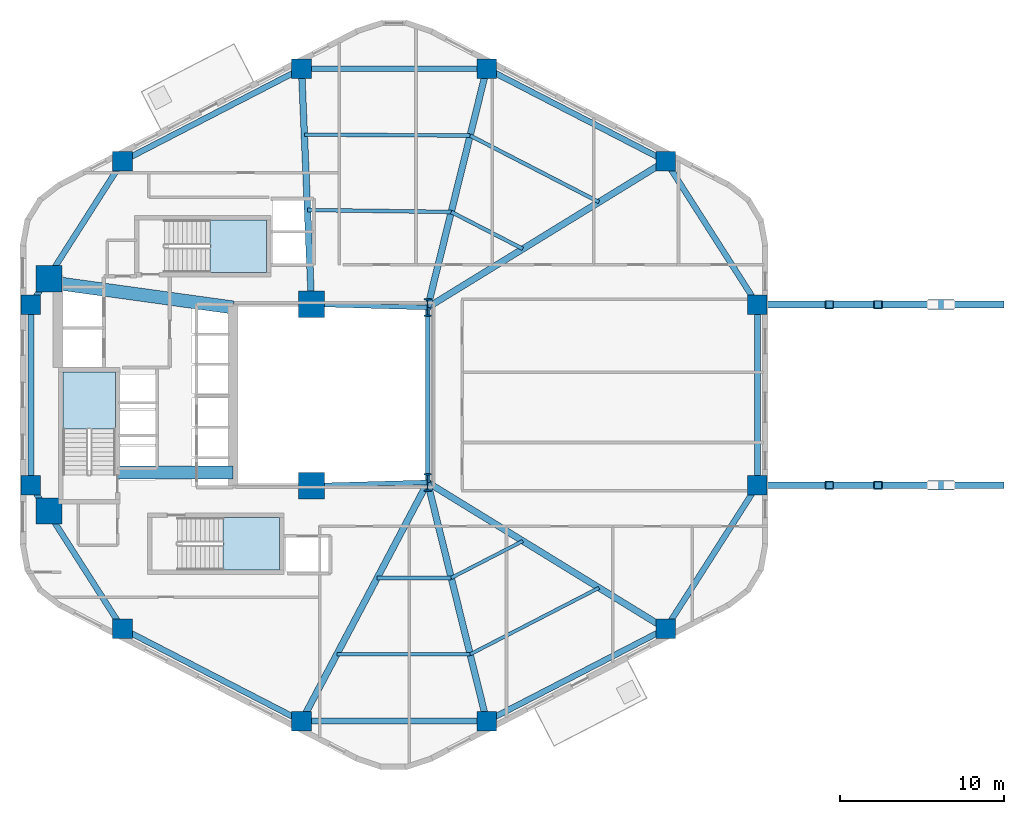
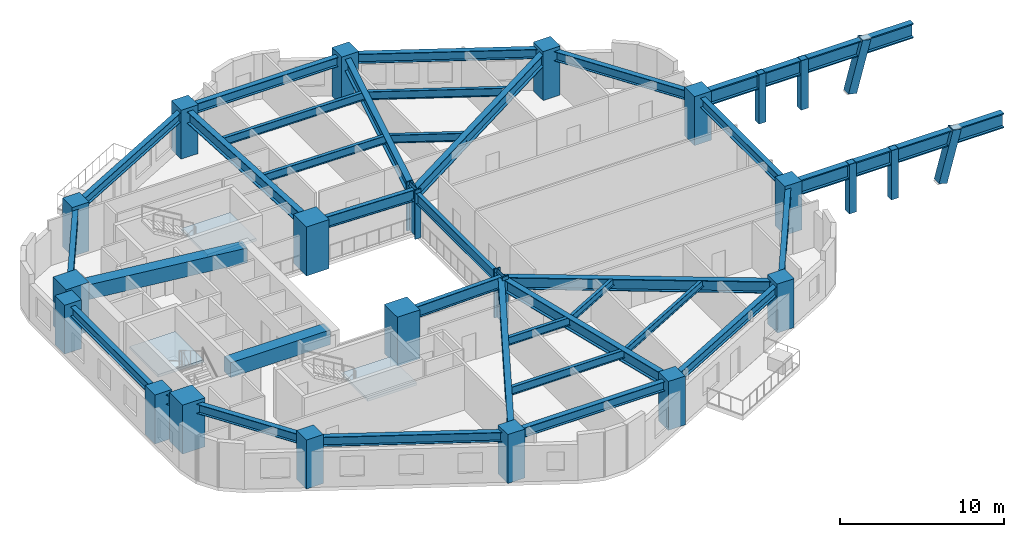
# One storey, part 1 of 8: 33 beams, 18 columns, 6 members, 3 slabs, 3 elements without a shape of their own.
"""IFC4 building model written with IfcOpenShell, lengths in metres."""

from ifc_helpers import new_model, si_unit, direction, frame, origin, origin_2d, place, context, subcontext, project, spatial, polyline, rectangle, hollow_rectangle, i_section, outline, extrude, material, layer, layer_set, material_profile, profile_set, type_object, element, aggregate, save


model = new_model("IFC4")

# Units and contexts
model_context = context("Model", 3, precision=1e-05, world=origin(), true_north=direction((0.0, 1.0)))
body_context = subcontext(model_context, "Body", "Model", "MODEL_VIEW")
ifc_project = project(units=[si_unit("LENGTHUNIT", "METRE"), si_unit("AREAUNIT", "SQUARE_METRE"), si_unit("VOLUMEUNIT", "CUBIC_METRE"), si_unit("PLANEANGLEUNIT", "RADIAN"), si_unit("MASSUNIT", "GRAM", prefix="KILO"), si_unit("THERMODYNAMICTEMPERATUREUNIT", "KELVIN"), si_unit("POWERUNIT", "WATT")], contexts=[model_context])

# Site, building, storey
site_placement = place(None, origin())
site = spatial("IfcSite", under=ifc_project, at=site_placement, CompositionType="ELEMENT")
building_placement = place(site_placement, origin())
building = spatial("IfcBuilding", under=site, at=building_placement, Name="Skarre Station Tower", CompositionType="ELEMENT")
storey_placement = place(building_placement, frame((0.0, 0.0, 45.25)))
storey = spatial("IfcBuildingStorey", under=building, at=storey_placement, Name="L11", CompositionType="ELEMENT", Elevation=45.25)

# Columns
ifc_material_1 = material(Name="Concrete C60/75", Category="concrete")
ifc_material_profile_1 = material_profile(ifc_material_1, rectangle(XDim=1.199951171875, YDim=1.199951171875, at=origin_2d()), Name="Concrete C60/75")
ifc_profile_set_1 = profile_set([ifc_material_profile_1], Name="Concrete C60/75")
column_type_1 = type_object("IfcColumnType", Name="RC Structural Column RC-COL-1200X1200", PredefinedType="COLUMN", material=ifc_profile_set_1)
for number, where, z_axis, x_axis, name in (
    (1, (54.007080078125, 38.298095703125, 0.0), (0.0, 0.0, 1.0), (1.0, 0.0, 0.0), "L11 Zone 1 Perimeter Column F0C1"),
    (2, (43.06005859375, 43.947021484375, 0.0), (0.0, 0.0, 1.0), (1.0, 0.0, 0.0), "L11 Zone 1 Perimeter Column F0C2"),
    (3, (31.739990234375, 43.947021484375, 0.0), (0.0, 0.0, 1.0), (1.0, 0.0, 0.0), "L11 Zone 1 Perimeter Column F1C1"),
    (4, (20.79296875, 38.298095703125, 0.0), (0.0, 0.0, 1.0), (1.0, 0.0, 0.0), "L11 Zone 1 Perimeter Column F1C2"),
    (5, (15.18701171875, 29.52099609375, 0.0), (0.0, 0.0, 1.0), (1.0, 0.0, 0.0), "L11 Zone 1 Perimeter Column F2C1"),
    (6, (15.18701171875, 18.47900390625, 0.0), (0.0, 0.0, 1.0), (1.0, 0.0, 0.0), "L11 Zone 1 Perimeter Column F2C2"),
    (7, (20.79296875, 9.701904296875, 0.0), (0.0, 0.0, 1.0), (1.0, 0.0, 0.0), "L11 Zone 1 Perimeter Column F3C1"),
    (8, (31.739990234375, 4.052978515625, 0.0), (0.0, 0.0, 1.0), (1.0, 0.0, 0.0), "L11 Zone 1 Perimeter Column F3C2"),
    (9, (43.06005859375, 4.052978515625, 0.0), (0.0, 0.0, 1.0), (1.0, 0.0, 0.0), "L11 Zone 1 Perimeter Column F4C1"),
    (10, (54.007080078125, 9.701904296875, 0.0), (0.0, 0.0, 1.0), (1.0, 0.0, 0.0), "L11 Zone 1 Perimeter Column F4C2"),
    (11, (59.613037109375, 18.47900390625, 0.0), (0.0, 0.0, 1.0), (1.0, 0.0, 0.0), "L11 Zone 1 Perimeter Column F5C1"),
    (12, (59.613037109375, 29.52099609375, 0.0), (0.0, 0.0, 1.0), (1.0, 0.0, 0.0), "L11 Zone 1 Perimeter Column F5C2"),
):
    element("IfcColumn", number, at=place(storey_placement, frame(where, z_axis=z_axis, x_axis=x_axis)), inside=storey, type_object=column_type_1, Name=name, PredefinedType="COLUMN", context=body_context, shape_type="SweptSolid", body=[
        extrude(rectangle(XDim=1.199951171875, YDim=1.199951171875, at=origin_2d()), origin(), (0.0, 0.0, 1.0), 3.64990234375),
    ])
ifc_material_2 = material(Name="Concrete C70/85", Category="concrete")
ifc_material_profile_2 = material_profile(ifc_material_2, rectangle(XDim=1.60009765625, YDim=1.60009765625, at=origin_2d()), Name="Concrete C70/85")
ifc_profile_set_2 = profile_set([ifc_material_profile_2], Name="Concrete C70/85")
column_type_2 = type_object("IfcColumnType", Name="RC Structural Column RC-COL-1600X1600", PredefinedType="COLUMN", material=ifc_profile_set_2)
for number, where, z_axis, x_axis, name in (
    (13, (16.300048828125, 16.89990234375, 0.0), (0.0, 0.0, 1.0), (1.0, 0.0, 0.0), "L11 Core Column CC-SW"),
    (14, (16.300048828125, 31.10009765625, 0.0), (0.0, 0.0, 1.0), (1.0, 0.0, 0.0), "L11 Core Column CC-NW"),
    (15, (32.35009765625, 18.449951171875, 0.0), (0.0, 0.0, 1.0), (1.0, 0.0, 0.0), "L11 Core Column CC-SE"),
    (16, (32.35009765625, 29.550048828125, 0.0), (0.0, 0.0, 1.0), (1.0, 0.0, 0.0), "L11 Core Column CC-NE"),
):
    element("IfcColumn", number, at=place(storey_placement, frame(where, z_axis=z_axis, x_axis=x_axis)), inside=storey, type_object=column_type_2, Name=name, PredefinedType="COLUMN", context=body_context, shape_type="SweptSolid", body=[
        extrude(rectangle(XDim=1.60009765625, YDim=1.60009765625, at=origin_2d()), origin(), (0.0, 0.0, 1.0), 3.64990234375),
    ])
ifc_material_3 = material(Name="Steel ASTM A913 Grade 65", Category="steel")
ifc_material_profile_3 = material_profile(ifc_material_3, i_section(OverallWidth=0.424072265625, OverallDepth=1.092041015625, WebThickness=0.044921875, FlangeThickness=0.08203125, at=origin_2d()), Name="Steel ASTM A913 Grade 65")
ifc_profile_set_3 = profile_set([ifc_material_profile_3], Name="Steel ASTM A913 Grade 65")
column_type_3 = type_object("IfcColumnType", Name="Steel Column W40X593", PredefinedType="COLUMN", material=ifc_profile_set_3)
for number, where, z_axis, x_axis, name in (
    (17, (39.449951171875, 18.64990234375, 0.0), (0.0, 0.0, 1.0), (1.0, 0.0, 0.0), "L11 Atrium Spine Column AC-SE"),
    (18, (39.449951171875, 29.35009765625, 0.0), (0.0, 0.0, 1.0), (1.0, 0.0, 0.0), "L11 Atrium Spine Column AC-NE"),
):
    element("IfcColumn", number, at=place(storey_placement, frame(where, z_axis=z_axis, x_axis=x_axis)), inside=storey, type_object=column_type_3, Name=name, PredefinedType="COLUMN", context=body_context, shape_type="SweptSolid", body=[
        extrude(i_section(OverallWidth=0.424072265625, OverallDepth=1.092041015625, WebThickness=0.044921875, FlangeThickness=0.08203125, at=origin_2d()), origin(), (0.0, 0.0, 1.0), 3.64990234375),
    ])

# Beams
ifc_material_profile_4 = material_profile(ifc_material_2, rectangle(XDim=0.800048828125, YDim=1.10009765625, at=origin_2d()), Name="Concrete C70/85")
ifc_profile_set_4 = profile_set([ifc_material_profile_4], Name="Concrete C70/85")
beam_type_1 = type_object("IfcBeamType", Name="RC Core Coupling Lintel 800x1100", PredefinedType="LINTEL", material=ifc_profile_set_4)
beam_1_placement = place(storey_placement, frame((20.489990234375, 19.260009765625, 2.840087890625), z_axis=(1.0, 0.0, 0.0), x_axis=(0.0, 1.0, 0.0)))
element("IfcBeam", 19, at=beam_1_placement, inside=storey, type_object=beam_type_1, Name="L11 South Core Coupling Lintel", PredefinedType="LINTEL", context=body_context, shape_type="SweptSolid", body=[
    extrude(rectangle(XDim=0.800048828125, YDim=1.10009765625, at=origin_2d()), origin(), (0.0, 0.0, 1.0), 7.06005859375),
])
beam_2_placement = place(storey_placement, frame((17.050048828125, 30.800048828125, 2.840087890625), z_axis=(0.990599723633, -0.136792498109, 0.0), x_axis=(0.136792498109, 0.990599723633, 0.0)))
element("IfcBeam", 20, at=beam_2_placement, inside=storey, type_object=beam_type_1, Name="L11 North Core Coupling Lintel", PredefinedType="LINTEL", context=body_context, shape_type="SweptSolid", body=[
    extrude(rectangle(XDim=0.800048828125, YDim=1.10009765625, at=origin_2d()), origin(), (0.0, 0.0, 1.0), 10.599609375),
])
ifc_material_4 = material(Name="Steel ASTM A992 Grade 50", Category="steel")
ifc_material_profile_5 = material_profile(ifc_material_4, i_section(OverallWidth=0.26806640625, OverallDepth=0.77001953125, WebThickness=0.01611328125, FlangeThickness=0.02490234375, at=origin_2d()), Name="Steel ASTM A992 Grade 50")
ifc_profile_set_5 = profile_set([ifc_material_profile_5], Name="Steel ASTM A992 Grade 50")
beam_type_2 = type_object("IfcBeamType", Name="Steel Beam W30X132", PredefinedType="BEAM", material=ifc_profile_set_5)
beam_3_placement = place(storey_placement, frame((39.449951171875, 18.64990234375, 3.0048828125), z_axis=(0.0, 1.0, 0.0), x_axis=(-1.0, 0.0, 0.0)))
element("IfcBeam", 21, at=beam_3_placement, inside=storey, type_object=beam_type_2, Name="L11 Atrium East Edge Girder", PredefinedType="BEAM", context=body_context, shape_type="SweptSolid", body=[
    extrude(i_section(OverallWidth=0.26806640625, OverallDepth=0.77001953125, WebThickness=0.01611328125, FlangeThickness=0.02490234375, at=origin_2d()), origin(), (0.0, 0.0, 1.0), 10.7001953125),
])
ifc_material_profile_6 = material_profile(ifc_material_4, i_section(OverallWidth=0.2919921875, OverallDepth=0.85888671875, WebThickness=0.01708984375, FlangeThickness=0.031005859375, at=origin_2d()), Name="Steel ASTM A992 Grade 50")
ifc_profile_set_6 = profile_set([ifc_material_profile_6], Name="Steel ASTM A992 Grade 50")
beam_type_3 = type_object("IfcBeamType", Name="Steel Beam W33X169", PredefinedType="BEAM", material=ifc_profile_set_6)
for number, where, z_axis, x_axis, name in (
    (22, (32.35009765625, 18.449951171875, 2.9609375), (0.999603666405, 0.028151556095, 0.0), (-0.028151556095, 0.999603666405, 0.0), "L11 Atrium South Edge Girder"),
    (23, (32.35009765625, 29.550048828125, 2.9609375), (0.999603666405, -0.028151556095, 0.0), (0.028151556095, 0.999603666405, 0.0), "L11 Atrium North Edge Girder"),
):
    element("IfcBeam", number, at=place(storey_placement, frame(where, z_axis=z_axis, x_axis=x_axis)), inside=storey, type_object=beam_type_3, Name=name, PredefinedType="BEAM", context=body_context, shape_type="SweptSolid", body=[
        extrude(i_section(OverallWidth=0.2919921875, OverallDepth=0.85888671875, WebThickness=0.01708984375, FlangeThickness=0.031005859375, at=origin_2d()), origin(), (0.0, 0.0, 1.0), 7.102783203125),
    ])
ifc_material_profile_7 = material_profile(ifc_material_4, i_section(OverallWidth=0.40087890625, OverallDepth=0.876953125, WebThickness=0.02197265625, FlangeThickness=0.0400390625, at=origin_2d()), Name="Steel ASTM A992 Grade 50")
ifc_profile_set_7 = profile_set([ifc_material_profile_7], Name="Steel ASTM A992 Grade 50")
beam_type_4 = type_object("IfcBeamType", Name="Steel Beam W33X263", PredefinedType="BEAM", material=ifc_profile_set_7)
beam_4_placement = place(storey_placement, frame((39.449951171875, 29.35009765625, 2.951904296875), z_axis=(0.851925565957, 0.523662897358, 0.0), x_axis=(-0.523662897358, 0.851925565957, 0.0)))
element("IfcBeam", 24, at=beam_4_placement, inside=storey, type_object=beam_type_4, Name="L11 Radial Floor Girder F0C1", PredefinedType="BEAM", context=body_context, shape_type="SweptSolid", body=[
    extrude(i_section(OverallWidth=0.40087890625, OverallDepth=0.876953125, WebThickness=0.02197265625, FlangeThickness=0.0400390625, at=origin_2d()), origin(), (0.0, 0.0, 1.0), 17.08740234375),
])
beam_5_placement = place(storey_placement, frame((39.449951171875, 29.35009765625, 2.951904296875), z_axis=(0.240086037639, 0.9707516132, 0.0), x_axis=(-0.9707516132, 0.240086037639, 0.0)))
element("IfcBeam", 25, at=beam_5_placement, inside=storey, type_object=beam_type_4, Name="L11 Radial Floor Girder F0C2", PredefinedType="BEAM", context=body_context, shape_type="SweptSolid", body=[
    extrude(i_section(OverallWidth=0.40087890625, OverallDepth=0.876953125, WebThickness=0.02197265625, FlangeThickness=0.0400390625, at=origin_2d()), origin(), (0.0, 0.0, 1.0), 15.03662109375),
])
beam_6_placement = place(storey_placement, frame((32.35009765625, 29.550048828125, 2.951904296875), z_axis=(-0.042339479433, 0.999103282189, 0.0), x_axis=(-0.999103282189, -0.042339479433, 0.0)))
element("IfcBeam", 26, at=beam_6_placement, inside=storey, type_object=beam_type_4, Name="L11 Radial Floor Girder F1C1", PredefinedType="BEAM", context=body_context, shape_type="SweptSolid", body=[
    extrude(i_section(OverallWidth=0.40087890625, OverallDepth=0.876953125, WebThickness=0.02197265625, FlangeThickness=0.0400390625, at=origin_2d()), origin(), (0.0, 0.0, 1.0), 14.409912109375),
])
beam_7_placement = place(storey_placement, frame((39.449951171875, 18.64990234375, 2.951904296875), z_axis=(-0.467044240884, -0.884233949279, 0.0), x_axis=(0.884233949279, -0.467044240884, 0.0)))
element("IfcBeam", 27, at=beam_7_placement, inside=storey, type_object=beam_type_4, Name="L11 Radial Floor Girder F3C2", PredefinedType="BEAM", context=body_context, shape_type="SweptSolid", body=[
    extrude(i_section(OverallWidth=0.40087890625, OverallDepth=0.876953125, WebThickness=0.02197265625, FlangeThickness=0.0400390625, at=origin_2d()), origin(), (0.0, 0.0, 1.0), 16.508056640625),
])
beam_8_placement = place(storey_placement, frame((39.449951171875, 18.64990234375, 2.951904296875), z_axis=(0.240086037639, -0.9707516132, 0.0), x_axis=(0.9707516132, 0.240086037639, 0.0)))
element("IfcBeam", 28, at=beam_8_placement, inside=storey, type_object=beam_type_4, Name="L11 Radial Floor Girder F4C1", PredefinedType="BEAM", context=body_context, shape_type="SweptSolid", body=[
    extrude(i_section(OverallWidth=0.40087890625, OverallDepth=0.876953125, WebThickness=0.02197265625, FlangeThickness=0.0400390625, at=origin_2d()), origin(), (0.0, 0.0, 1.0), 15.03662109375),
])
beam_9_placement = place(storey_placement, frame((39.449951171875, 18.64990234375, 2.951904296875), z_axis=(0.851925565957, -0.523662897358, 0.0), x_axis=(0.523662897358, 0.851925565957, 0.0)))
element("IfcBeam", 29, at=beam_9_placement, inside=storey, type_object=beam_type_4, Name="L11 Radial Floor Girder F4C2", PredefinedType="BEAM", context=body_context, shape_type="SweptSolid", body=[
    extrude(i_section(OverallWidth=0.40087890625, OverallDepth=0.876953125, WebThickness=0.02197265625, FlangeThickness=0.0400390625, at=origin_2d()), origin(), (0.0, 0.0, 1.0), 17.08740234375),
])
ifc_material_profile_8 = material_profile(ifc_material_4, i_section(OverallWidth=0.208984375, OverallDepth=0.532958984375, WebThickness=0.010009765625, FlangeThickness=0.01611328125, at=origin_2d()), Name="Steel ASTM A992 Grade 50")
ifc_profile_set_8 = profile_set([ifc_material_profile_8], Name="Steel ASTM A992 Grade 50")
beam_type_5 = type_object("IfcBeamType", Name="Steel Joist W21X62", PredefinedType="JOIST", material=ifc_profile_set_8)
beam_10_placement = place(storey_placement, frame((40.89404296875, 12.81103515625, 3.123046875), z_axis=(0.888626519249, 0.458631561591, 0.0), x_axis=(-0.458631561591, 0.888626519249, 0.0)))
element("IfcBeam", 30, at=beam_10_placement, inside=storey, type_object=beam_type_5, Name="L11 Auxiliary Composite Joist 7", PredefinedType="JOIST", context=body_context, shape_type="SweptSolid", body=[
    extrude(i_section(OverallWidth=0.208984375, OverallDepth=0.532958984375, WebThickness=0.010009765625, FlangeThickness=0.01611328125, at=origin_2d()), origin(), (0.0, 0.0, 1.0), 4.927734375),
])
beam_11_placement = place(storey_placement, frame((42.049072265625, 8.139892578125, 3.123046875), z_axis=(0.88866227096, 0.458562283853, 0.0), x_axis=(-0.458562283853, 0.88866227096, 0.0)))
element("IfcBeam", 31, at=beam_11_placement, inside=storey, type_object=beam_type_5, Name="L11 Auxiliary Composite Joist 8", PredefinedType="JOIST", context=body_context, shape_type="SweptSolid", body=[
    extrude(i_section(OverallWidth=0.208984375, OverallDepth=0.532958984375, WebThickness=0.010009765625, FlangeThickness=0.01611328125, at=origin_2d()), origin(), (0.0, 0.0, 1.0), 8.869384765625),
])
ifc_material_profile_9 = material_profile(ifc_material_4, i_section(OverallWidth=0.22802734375, OverallDepth=0.60791015625, WebThickness=0.010986328125, FlangeThickness=0.01708984375, at=origin_2d()), Name="Steel ASTM A992 Grade 50")
ifc_profile_set_9 = profile_set([ifc_material_profile_9], Name="Steel ASTM A992 Grade 50")
beam_type_6 = type_object("IfcBeamType", Name="Steel Joist W24X76", PredefinedType="JOIST", material=ifc_profile_set_9)
beam_12_placement = place(storey_placement, frame((45.27294921875, 32.928955078125, 3.0859375), z_axis=(-0.888626519249, 0.458631561591, 0.0), x_axis=(-0.458631561591, -0.888626519249, 0.0)))
element("IfcBeam", 32, at=beam_12_placement, inside=storey, type_object=beam_type_6, Name="L11 Secondary Floor Joist 1", PredefinedType="JOIST", context=body_context, shape_type="SweptSolid", body=[
    extrude(i_section(OverallWidth=0.22802734375, OverallDepth=0.60791015625, WebThickness=0.010986328125, FlangeThickness=0.01708984375, at=origin_2d()), origin(), (0.0, 0.0, 1.0), 4.927734375),
])
beam_13_placement = place(storey_placement, frame((49.930908203125, 35.79296875, 3.0859375), z_axis=(-0.88866227096, 0.458562283853, 0.0), x_axis=(-0.458562283853, -0.88866227096, 0.0)))
element("IfcBeam", 33, at=beam_13_placement, inside=storey, type_object=beam_type_6, Name="L11 Secondary Floor Joist 2", PredefinedType="JOIST", context=body_context, shape_type="SweptSolid", body=[
    extrude(i_section(OverallWidth=0.22802734375, OverallDepth=0.60791015625, WebThickness=0.010986328125, FlangeThickness=0.01708984375, at=origin_2d()), origin(), (0.0, 0.0, 1.0), 8.869384765625),
])
beam_14_placement = place(storey_placement, frame((40.89404296875, 35.18896484375, 3.0859375), z_axis=(-0.999906603441, 0.013666908792, 0.0), x_axis=(-0.013666908792, -0.999906603441, 0.0)))
element("IfcBeam", 34, at=beam_14_placement, inside=storey, type_object=beam_type_6, Name="L11 Secondary Floor Joist 3", PredefinedType="JOIST", context=body_context, shape_type="SweptSolid", body=[
    extrude(i_section(OverallWidth=0.22802734375, OverallDepth=0.60791015625, WebThickness=0.010986328125, FlangeThickness=0.01708984375, at=origin_2d()), origin(), (0.0, 0.0, 1.0), 8.788818359375),
])
beam_15_placement = place(storey_placement, frame((42.049072265625, 39.860107421875, 3.0859375), z_axis=(-0.999984794845, 0.005514533498, 0.0), x_axis=(-0.005514533498, -0.999984794845, 0.0)))
element("IfcBeam", 35, at=beam_15_placement, inside=storey, type_object=beam_type_6, Name="L11 Secondary Floor Joist 4", PredefinedType="JOIST", context=body_context, shape_type="SweptSolid", body=[
    extrude(i_section(OverallWidth=0.22802734375, OverallDepth=0.60791015625, WebThickness=0.010986328125, FlangeThickness=0.01708984375, at=origin_2d()), origin(), (0.0, 0.0, 1.0), 10.138427734375),
])
beam_16_placement = place(storey_placement, frame((36.365966796875, 12.81103515625, 3.0859375), z_axis=(1.0, 0.0, 0.0), x_axis=(0.0, 1.0, 0.0)))
element("IfcBeam", 36, at=beam_16_placement, inside=storey, type_object=beam_type_6, Name="L11 Secondary Floor Joist 5", PredefinedType="JOIST", context=body_context, shape_type="SweptSolid", body=[
    extrude(i_section(OverallWidth=0.22802734375, OverallDepth=0.60791015625, WebThickness=0.010986328125, FlangeThickness=0.01708984375, at=origin_2d()), origin(), (0.0, 0.0, 1.0), 4.528076171875),
])
beam_17_placement = place(storey_placement, frame((33.89892578125, 8.139892578125, 3.0859375), z_axis=(1.0, 0.0, 0.0), x_axis=(0.0, 1.0, 0.0)))
element("IfcBeam", 37, at=beam_17_placement, inside=storey, type_object=beam_type_6, Name="L11 Secondary Floor Joist 6", PredefinedType="JOIST", context=body_context, shape_type="SweptSolid", body=[
    extrude(i_section(OverallWidth=0.22802734375, OverallDepth=0.60791015625, WebThickness=0.010986328125, FlangeThickness=0.01708984375, at=origin_2d()), origin(), (0.0, 0.0, 1.0), 8.150146484375),
])
ifc_material_profile_10 = material_profile(ifc_material_4, i_section(OverallWidth=0.35791015625, OverallDepth=0.7060546875, WebThickness=0.01806640625, FlangeThickness=0.030029296875, at=origin_2d()), Name="Steel ASTM A992 Grade 50")
ifc_profile_set_10 = profile_set([ifc_material_profile_10], Name="Steel ASTM A992 Grade 50")
beam_type_7 = type_object("IfcBeamType", Name="Steel Spandrel W27X178", PredefinedType="SPANDREL", material=ifc_profile_set_10)
beam_18_placement = place(storey_placement, frame((54.007080078125, 38.298095703125, 3.037109375), z_axis=(-0.888658695823, 0.458569212158, 0.0), x_axis=(-0.458569212158, -0.888658695823, 0.0)))
element("IfcBeam", 38, at=beam_18_placement, inside=storey, type_object=beam_type_7, Name="L11 Facet Spandrel Beam 1", PredefinedType="SPANDREL", context=body_context, shape_type="SweptSolid", body=[
    extrude(i_section(OverallWidth=0.35791015625, OverallDepth=0.7060546875, WebThickness=0.01806640625, FlangeThickness=0.030029296875, at=origin_2d()), origin(), (0.0, 0.0, 1.0), 12.318603515625),
])
beam_19_placement = place(storey_placement, frame((43.06005859375, 43.947021484375, 3.037109375), z_axis=(-1.0, 0.0, 0.0), x_axis=(0.0, -1.0, 0.0)))
element("IfcBeam", 39, at=beam_19_placement, inside=storey, type_object=beam_type_7, Name="L11 Facet Spandrel Beam 2", PredefinedType="SPANDREL", context=body_context, shape_type="SweptSolid", body=[
    extrude(i_section(OverallWidth=0.35791015625, OverallDepth=0.7060546875, WebThickness=0.01806640625, FlangeThickness=0.030029296875, at=origin_2d()), origin(), (0.0, 0.0, 1.0), 11.320068359375),
])
beam_20_placement = place(storey_placement, frame((31.739990234375, 43.947021484375, 3.037109375), z_axis=(-0.888658695823, -0.458569212158, 0.0), x_axis=(0.458569212158, -0.888658695823, 0.0)))
element("IfcBeam", 40, at=beam_20_placement, inside=storey, type_object=beam_type_7, Name="L11 Facet Spandrel Beam 3", PredefinedType="SPANDREL", context=body_context, shape_type="SweptSolid", body=[
    extrude(i_section(OverallWidth=0.35791015625, OverallDepth=0.7060546875, WebThickness=0.01806640625, FlangeThickness=0.030029296875, at=origin_2d()), origin(), (0.0, 0.0, 1.0), 12.318603515625),
])
beam_21_placement = place(storey_placement, frame((20.79296875, 38.298095703125, 3.037109375), z_axis=(-0.538277829225, -0.842767452246, 0.0), x_axis=(0.842767452246, -0.538277829225, 0.0)))
element("IfcBeam", 41, at=beam_21_placement, inside=storey, type_object=beam_type_7, Name="L11 Facet Spandrel Beam 4", PredefinedType="SPANDREL", context=body_context, shape_type="SweptSolid", body=[
    extrude(i_section(OverallWidth=0.35791015625, OverallDepth=0.7060546875, WebThickness=0.01806640625, FlangeThickness=0.030029296875, at=origin_2d()), origin(), (0.0, 0.0, 1.0), 10.41455078125),
])
beam_22_placement = place(storey_placement, frame((15.18701171875, 29.52099609375, 3.037109375), z_axis=(0.0, -1.0, 0.0), x_axis=(1.0, 0.0, 0.0)))
element("IfcBeam", 42, at=beam_22_placement, inside=storey, type_object=beam_type_7, Name="L11 Facet Spandrel Beam 5", PredefinedType="SPANDREL", context=body_context, shape_type="SweptSolid", body=[
    extrude(i_section(OverallWidth=0.35791015625, OverallDepth=0.7060546875, WebThickness=0.01806640625, FlangeThickness=0.030029296875, at=origin_2d()), origin(), (0.0, 0.0, 1.0), 11.0419921875),
])
beam_23_placement = place(storey_placement, frame((15.18701171875, 18.47900390625, 3.037109375), z_axis=(0.538277829225, -0.842767452246, 0.0), x_axis=(0.842767452246, 0.538277829225, 0.0)))
element("IfcBeam", 43, at=beam_23_placement, inside=storey, type_object=beam_type_7, Name="L11 Facet Spandrel Beam 6", PredefinedType="SPANDREL", context=body_context, shape_type="SweptSolid", body=[
    extrude(i_section(OverallWidth=0.35791015625, OverallDepth=0.7060546875, WebThickness=0.01806640625, FlangeThickness=0.030029296875, at=origin_2d()), origin(), (0.0, 0.0, 1.0), 10.41455078125),
])
beam_24_placement = place(storey_placement, frame((20.79296875, 9.701904296875, 3.037109375), z_axis=(0.888658695823, -0.458569212158, 0.0), x_axis=(0.458569212158, 0.888658695823, 0.0)))
element("IfcBeam", 44, at=beam_24_placement, inside=storey, type_object=beam_type_7, Name="L11 Facet Spandrel Beam 7", PredefinedType="SPANDREL", context=body_context, shape_type="SweptSolid", body=[
    extrude(i_section(OverallWidth=0.35791015625, OverallDepth=0.7060546875, WebThickness=0.01806640625, FlangeThickness=0.030029296875, at=origin_2d()), origin(), (0.0, 0.0, 1.0), 12.318603515625),
])
beam_25_placement = place(storey_placement, frame((31.739990234375, 4.052978515625, 3.037109375), z_axis=(1.0, 0.0, 0.0), x_axis=(0.0, 1.0, 0.0)))
element("IfcBeam", 45, at=beam_25_placement, inside=storey, type_object=beam_type_7, Name="L11 Facet Spandrel Beam 8", PredefinedType="SPANDREL", context=body_context, shape_type="SweptSolid", body=[
    extrude(i_section(OverallWidth=0.35791015625, OverallDepth=0.7060546875, WebThickness=0.01806640625, FlangeThickness=0.030029296875, at=origin_2d()), origin(), (0.0, 0.0, 1.0), 11.320068359375),
])
beam_26_placement = place(storey_placement, frame((43.06005859375, 4.052978515625, 3.037109375), z_axis=(0.888658695823, 0.458569212158, 0.0), x_axis=(-0.458569212158, 0.888658695823, 0.0)))
element("IfcBeam", 46, at=beam_26_placement, inside=storey, type_object=beam_type_7, Name="L11 Facet Spandrel Beam 9", PredefinedType="SPANDREL", context=body_context, shape_type="SweptSolid", body=[
    extrude(i_section(OverallWidth=0.35791015625, OverallDepth=0.7060546875, WebThickness=0.01806640625, FlangeThickness=0.030029296875, at=origin_2d()), origin(), (0.0, 0.0, 1.0), 12.318603515625),
])
beam_27_placement = place(storey_placement, frame((54.007080078125, 9.701904296875, 3.037109375), z_axis=(0.538277829225, 0.842767452246, 0.0), x_axis=(-0.842767452246, 0.538277829225, 0.0)))
element("IfcBeam", 47, at=beam_27_placement, inside=storey, type_object=beam_type_7, Name="L11 Facet Spandrel Beam 10", PredefinedType="SPANDREL", context=body_context, shape_type="SweptSolid", body=[
    extrude(i_section(OverallWidth=0.35791015625, OverallDepth=0.7060546875, WebThickness=0.01806640625, FlangeThickness=0.030029296875, at=origin_2d()), origin(), (0.0, 0.0, 1.0), 10.41455078125),
])
beam_28_placement = place(storey_placement, frame((59.613037109375, 18.47900390625, 3.037109375), z_axis=(0.0, 1.0, 0.0), x_axis=(-1.0, 0.0, 0.0)))
element("IfcBeam", 48, at=beam_28_placement, inside=storey, type_object=beam_type_7, Name="L11 Facet Spandrel Beam 11", PredefinedType="SPANDREL", context=body_context, shape_type="SweptSolid", body=[
    extrude(i_section(OverallWidth=0.35791015625, OverallDepth=0.7060546875, WebThickness=0.01806640625, FlangeThickness=0.030029296875, at=origin_2d()), origin(), (0.0, 0.0, 1.0), 11.0419921875),
])
beam_29_placement = place(storey_placement, frame((59.613037109375, 29.52099609375, 3.037109375), z_axis=(-0.538277829225, 0.842767452246, 0.0), x_axis=(-0.842767452246, -0.538277829225, 0.0)))
element("IfcBeam", 49, at=beam_29_placement, inside=storey, type_object=beam_type_7, Name="L11 Facet Spandrel Beam 12", PredefinedType="SPANDREL", context=body_context, shape_type="SweptSolid", body=[
    extrude(i_section(OverallWidth=0.35791015625, OverallDepth=0.7060546875, WebThickness=0.01806640625, FlangeThickness=0.030029296875, at=origin_2d()), origin(), (0.0, 0.0, 1.0), 10.41455078125),
])
ifc_material_profile_11 = material_profile(ifc_material_3, i_section(OverallWidth=0.424072265625, OverallDepth=1.092041015625, WebThickness=0.044921875, FlangeThickness=0.08203125, at=origin_2d()), Name="Steel ASTM A913 Grade 65")
ifc_profile_set_11 = profile_set([ifc_material_profile_11], Name="Steel ASTM A913 Grade 65")
beam_type_8 = type_object("IfcBeamType", Name="Steel Transfer Girder W40X593", PredefinedType="USERDEFINED", material=ifc_profile_set_11)
for number, where, z_axis, x_axis, name in (
    (50, (59.613037109375, 18.47900390625, 2.843994140625), (1.0, 0.0, 0.0), (0.0, 1.0, 0.0), "L11 SB-1 Exoskeleton Tier-3 Transfer Girder S1"),
    (51, (59.613037109375, 29.52099609375, 2.843994140625), (1.0, 0.0, 0.0), (0.0, 1.0, 0.0), "L11 SB-1 Exoskeleton Tier-3 Transfer Girder S2"),
):
    element("IfcBeam", number, at=place(storey_placement, frame(where, z_axis=z_axis, x_axis=x_axis)), inside=storey, type_object=beam_type_8, Name=name, ObjectType="TRANSFER_GIRDER", PredefinedType="USERDEFINED", context=body_context, shape_type="SweptSolid", body=[
        extrude(i_section(OverallWidth=0.424072265625, OverallDepth=1.092041015625, WebThickness=0.044921875, FlangeThickness=0.08203125, at=origin_2d()), origin(), (0.0, 0.0, 1.0), 15.080078125),
    ])

# Members
ifc_material_5 = material(Name="Steel ASTM A501 Grade B", Category="steel")
ifc_material_profile_12 = material_profile(ifc_material_5, hollow_rectangle(XDim=0.5, YDim=0.5, WallThickness=0.02490234375, at=origin_2d()), Name="Steel ASTM A501 Grade B")
ifc_profile_set_12 = profile_set([ifc_material_profile_12], Name="Steel ASTM A501 Grade B")
member_type_1 = type_object("IfcMemberType", Name="Steel Truss Strut HSS500X500X25", PredefinedType="STRUT", material=ifc_profile_set_12)
for number, where, z_axis, x_axis, name in (
    (52, (64.012939453125, 18.47900390625, -0.280029296875), (0.0, 0.0, 1.0), (1.0, 0.0, 0.0), "L11 SB-1 Exoskeleton Post Tier 3-1 S1"),
    (53, (66.992919921875, 18.47900390625, -0.280029296875), (0.0, 0.0, 1.0), (1.0, 0.0, 0.0), "L11 SB-1 Exoskeleton Post Tier 3-2 S1"),
    (54, (64.012939453125, 29.52099609375, -0.280029296875), (0.0, 0.0, 1.0), (1.0, 0.0, 0.0), "L11 SB-1 Exoskeleton Post Tier 3-1 S2"),
    (55, (66.992919921875, 29.52099609375, -0.280029296875), (0.0, 0.0, 1.0), (1.0, 0.0, 0.0), "L11 SB-1 Exoskeleton Post Tier 3-2 S2"),
):
    element("IfcMember", number, at=place(storey_placement, frame(where, z_axis=z_axis, x_axis=x_axis)), inside=storey, type_object=member_type_1, Name=name, PredefinedType="STRUT", context=body_context, shape_type="SweptSolid", body=[
        extrude(hollow_rectangle(XDim=0.5, YDim=0.5, WallThickness=0.02490234375, at=origin_2d()), origin(), (0.0, 0.0, 1.0), 3.669921875),
    ])
ifc_material_profile_13 = material_profile(ifc_material_5, hollow_rectangle(XDim=0.60009765625, YDim=0.60009765625, WallThickness=0.028076171875, at=origin_2d()), Name="Steel ASTM A501 Grade B")
ifc_profile_set_13 = profile_set([ifc_material_profile_13], Name="Steel ASTM A501 Grade B")
member_type_2 = type_object("IfcMemberType", Name="Steel Truss Strut HSS600X600X28", PredefinedType="STRUT", material=ifc_profile_set_13)
for number, where, z_axis, x_axis, name in (
    (56, (70.343017578125, 18.47900390625, -0.280029296875), (0.262900158906, 0.0, 0.964823044111), (0.0, 1.0, 0.0), "L11 SB-1 Exoskeleton Raking Strut Tier 3 S1"),
    (57, (70.343017578125, 29.52099609375, -0.280029296875), (0.262900158906, 0.0, 0.964823044111), (0.0, 1.0, 0.0), "L11 SB-1 Exoskeleton Raking Strut Tier 3 S2"),
):
    element("IfcMember", number, at=place(storey_placement, frame(where, z_axis=z_axis, x_axis=x_axis)), inside=storey, type_object=member_type_2, Name=name, PredefinedType="STRUT", context=body_context, shape_type="SweptSolid", body=[
        extrude(hollow_rectangle(XDim=0.60009765625, YDim=0.60009765625, WallThickness=0.028076171875, at=origin_2d()), origin(), (0.0, 0.0, 1.0), 3.8037109375),
    ])

# Stair, slab
ifc_material_6 = material(Name="Concrete C40/50", Category="concrete")
stair_type_1 = type_object("IfcStairType", Name="Reinforced Concrete Exit Stair ST-1", PredefinedType="HALF_TURN_STAIR", material=ifc_material_6)
stair_1_placement = place(storey_placement, origin())
stair_1 = element("IfcStair", 58, at=stair_1_placement, inside=storey, type_object=stair_type_1, Name="L11 Core Exit Stair ST-1", PredefinedType="HALF_TURN_STAIR")
ifc_layer = layer(ifc_material_6, 0.219970703125, Name="Concrete C40/50")
ifc_layer_set = layer_set([ifc_layer], Name="Concrete C40/50")
slab_type = type_object("IfcSlabType", Name="Reinforced Concrete Stair & Ramp Landing 220", PredefinedType="LANDING", material=ifc_layer_set)
slab_1_placement = place(storey_placement, frame((0.0, 0.0, 1.625)))
slab_1 = element("IfcSlab", 59, at=slab_1_placement, type_object=slab_type, Name="ST-1 landing 1", PredefinedType="LANDING", context=body_context, shape_type="SweptSolid", body=[
    extrude(outline(polyline([(20.35009765625, 21.919921875), (20.35009765625, 25.39990234375), (17.14990234375, 25.39990234375), (17.14990234375, 21.919921875), (20.35009765625, 21.919921875)])), origin(), (0.0, 0.0, 1.0), 0.199951171875),
])
aggregate(stair_1, [slab_1])

stair_type_2 = type_object("IfcStairType", Name="Reinforced Concrete Exit Stair ST-2", PredefinedType="HALF_TURN_STAIR", material=ifc_material_6)
stair_2_placement = place(storey_placement, origin())
stair_2 = element("IfcStair", 60, at=stair_2_placement, inside=storey, type_object=stair_type_2, Name="L11 Core Exit Stair ST-2", PredefinedType="HALF_TURN_STAIR")
slab_2_placement = place(storey_placement, frame((0.0, 0.0, 1.625)))
slab_2 = element("IfcSlab", 61, at=slab_2_placement, type_object=slab_type, Name="ST-2 landing 1", PredefinedType="LANDING", context=body_context, shape_type="SweptSolid", body=[
    extrude(outline(polyline([(26.949951171875, 13.300048828125), (30.39990234375, 13.300048828125), (30.39990234375, 16.5), (26.949951171875, 16.5), (26.949951171875, 13.300048828125)])), origin(), (0.0, 0.0, 1.0), 0.199951171875),
])
aggregate(stair_2, [slab_2])

stair_type_3 = type_object("IfcStairType", Name="Reinforced Concrete Exit Stair ST-3", PredefinedType="HALF_TURN_STAIR", material=ifc_material_6)
stair_3_placement = place(storey_placement, origin())
stair_3 = element("IfcStair", 62, at=stair_3_placement, inside=storey, type_object=stair_type_3, Name="L11 Core Exit Stair ST-3", PredefinedType="HALF_TURN_STAIR")
slab_3_placement = place(storey_placement, frame((0.0, 0.0, 1.625)))
slab_3 = element("IfcSlab", 63, at=slab_3_placement, type_object=slab_type, Name="ST-3 landing 1", PredefinedType="LANDING", context=body_context, shape_type="SweptSolid", body=[
    extrude(outline(polyline([(26.14990234375, 31.5), (29.60009765625, 31.5), (29.60009765625, 34.699951171875), (26.14990234375, 34.699951171875), (26.14990234375, 31.5)])), origin(), (0.0, 0.0, 1.0), 0.199951171875),
])
aggregate(stair_3, [slab_3])

save(model, "model.ifc")
